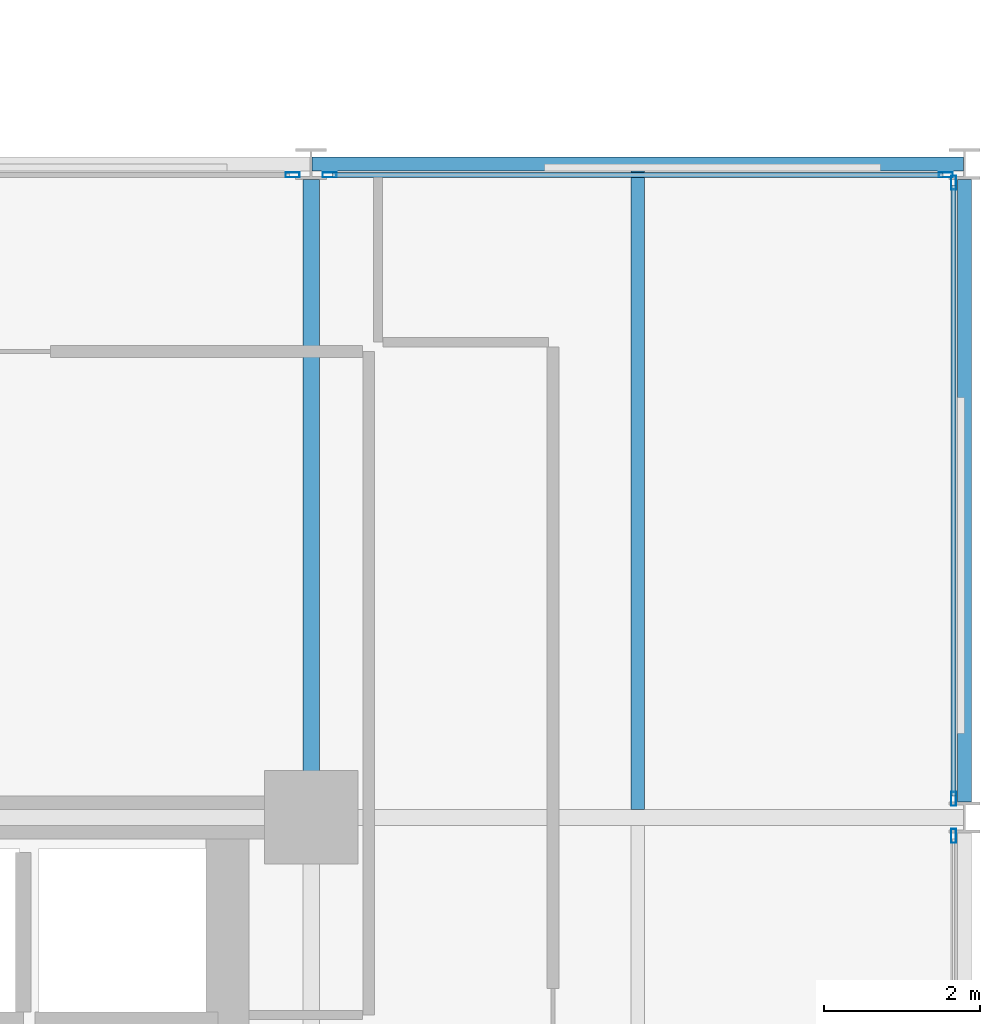
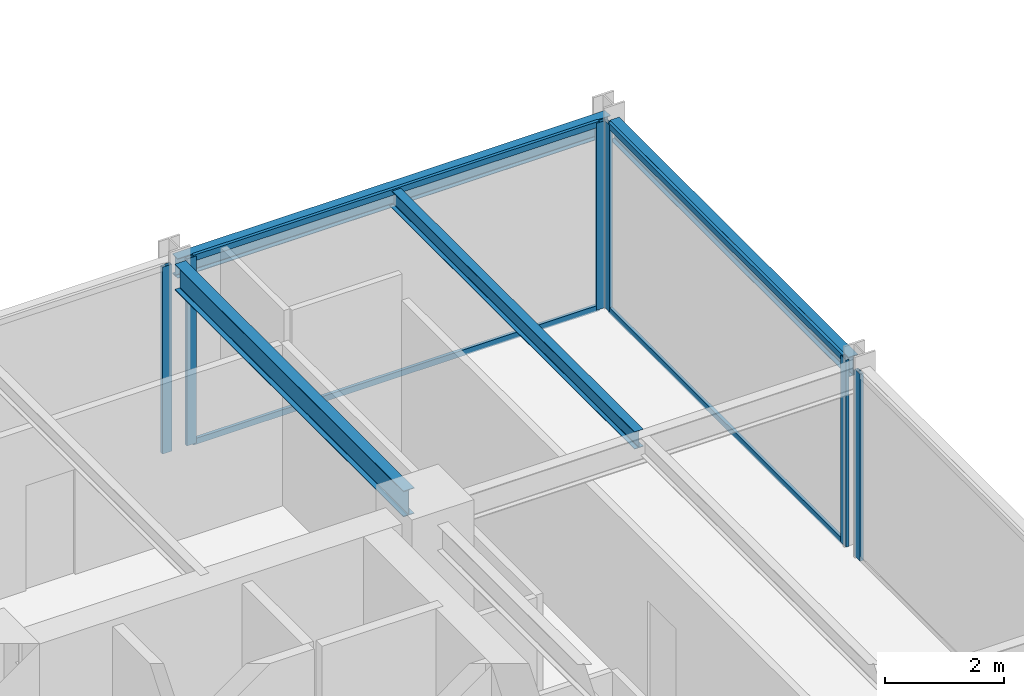
# One storey, part 15 of 29: 10 members, 4 beams, 4 elements without a shape of their own.
"""IFC4 building model written with IfcOpenShell, lengths in metres."""

from ifc_helpers import new_model, si_unit, direction, frame, origin, origin_2d, place, context, subcontext, project, spatial, hollow_rectangle, i_section, extrude, material, layer, layer_set, material_profile, profile_set, type_object, element, aggregate, save


model = new_model("IFC4")

# Units and contexts
model_context = context("Model", 3, precision=1e-05, world=origin(), true_north=direction((0.0, 1.0)))
body_context = subcontext(model_context, "Body", "Model", "MODEL_VIEW")
ifc_project = project(units=[si_unit("LENGTHUNIT", "METRE"), si_unit("AREAUNIT", "SQUARE_METRE"), si_unit("VOLUMEUNIT", "CUBIC_METRE"), si_unit("PLANEANGLEUNIT", "RADIAN"), si_unit("MASSUNIT", "GRAM", prefix="KILO")], contexts=[model_context])

# Site, building, storey
site_placement = place(None, origin())
site = spatial("IfcSite", under=ifc_project, at=site_placement, CompositionType="ELEMENT")
building_placement = place(site_placement, origin())
building = spatial("IfcBuilding", under=site, at=building_placement, Name="Nerrivon Quay Data Exchange", CompositionType="ELEMENT")
storey_placement = place(building_placement, frame((0.0, 0.0, 125.39990234375)))
storey = spatial("IfcBuildingStorey", under=building, at=storey_placement, Name="L29", CompositionType="ELEMENT", Elevation=125.39990234375)

# Beams
ifc_material_1 = material(Name="Steel Grade 350", Category="steel")
ifc_material_profile_1 = material_profile(ifc_material_1, i_section(OverallWidth=0.208984375, OverallDepth=0.528076171875, WebThickness=0.009521484375, FlangeThickness=0.01318359375, FilletRadius=0.013916015625, at=origin_2d()), Name="530UB82.0")
ifc_profile_set_1 = profile_set([ifc_material_profile_1], Name="Steel Grade 350")
beam_type_1 = type_object("IfcBeamType", Name="BM-G4-530UB82", PredefinedType="BEAM", material=ifc_profile_set_1)
beam_1_placement = place(storey_placement, frame((33.60009765625, 17.340087890625, 3.56103515625), z_axis=(0.0, 1.0, 0.0), x_axis=(-1.0, 0.0, 0.0)))
element("IfcBeam", 1, at=beam_1_placement, inside=storey, type_object=beam_type_1, Name="L29 NS Girder X=33.6 (16.8..25.2)", PredefinedType="BEAM", context=body_context, shape_type="SweptSolid", body=[
    extrude(i_section(OverallWidth=0.208984375, OverallDepth=0.528076171875, WebThickness=0.009521484375, FlangeThickness=0.01318359375, FilletRadius=0.013916015625, at=origin_2d()), origin(), (0.0, 0.0, 1.0), 7.659912109375),
])
ifc_material_profile_2 = material_profile(ifc_material_1, i_section(OverallWidth=0.1708984375, OverallDepth=0.35595703125, WebThickness=0.00732421875, FlangeThickness=0.011474609375, FilletRadius=0.011474609375, at=origin_2d()), Name="360UB50.7")
ifc_profile_set_2 = profile_set([ifc_material_profile_2], Name="Steel Grade 350")
beam_type_2 = type_object("IfcBeamType", Name="BM-J4-360UB51", PredefinedType="JOIST", material=ifc_profile_set_2)
beam_2_placement = place(storey_placement, frame((37.800048828125, 16.904541015625, 3.647216796875), z_axis=(0.0, 1.0, 0.0), x_axis=(-1.0, 0.0, 0.0)))
element("IfcBeam", 2, at=beam_2_placement, inside=storey, type_object=beam_type_2, Name="L29 Secondary Joist X=37.8 (16.8..25.2)", PredefinedType="JOIST", context=body_context, shape_type="SweptSolid", body=[
    extrude(i_section(OverallWidth=0.1708984375, OverallDepth=0.35595703125, WebThickness=0.00732421875, FlangeThickness=0.011474609375, FilletRadius=0.011474609375, at=origin_2d()), origin(), (0.0, 0.0, 1.0), 8.20654296875),
])
ifc_material_profile_3 = material_profile(ifc_material_1, i_section(OverallWidth=0.177978515625, OverallDepth=0.403076171875, WebThickness=0.007568359375, FlangeThickness=0.010986328125, FilletRadius=0.011474609375, at=origin_2d()), Name="410UB53.7")
ifc_profile_set_3 = profile_set([ifc_material_profile_3], Name="Steel Grade 350")
beam_type_3 = type_object("IfcBeamType", Name="BM-SP2-410UB54", PredefinedType="SPANDREL", material=ifc_profile_set_3)
beam_3_placement = place(storey_placement, frame((33.612548828125, 25.199951171875, 3.62353515625), z_axis=(1.0, 0.0, 0.0), x_axis=(0.0, 1.0, 0.0)))
element("IfcBeam", 3, at=beam_3_placement, inside=storey, type_object=beam_type_3, Name="L29 EW Girder Y=25.2 (33.6..42.0)", PredefinedType="SPANDREL", context=body_context, shape_type="SweptSolid", body=[
    extrude(i_section(OverallWidth=0.177978515625, OverallDepth=0.403076171875, WebThickness=0.007568359375, FlangeThickness=0.010986328125, FilletRadius=0.011474609375, at=origin_2d()), origin(), (0.0, 0.0, 1.0), 8.375),
])
beam_4_placement = place(storey_placement, frame((42.0, 17.0, 3.62353515625), z_axis=(0.0, 1.0, 0.0), x_axis=(-1.0, 0.0, 0.0)))
element("IfcBeam", 4, at=beam_4_placement, inside=storey, type_object=beam_type_3, Name="L29 NS Girder X=42.0 (16.8..25.2)", PredefinedType="SPANDREL", context=body_context, shape_type="SweptSolid", body=[
    extrude(i_section(OverallWidth=0.177978515625, OverallDepth=0.403076171875, WebThickness=0.007568359375, FlangeThickness=0.010986328125, FilletRadius=0.011474609375, at=origin_2d()), origin(), (0.0, 0.0, 1.0), 8.0),
])

# Curtain wall, member
ifc_material_2 = material(Name="Anodised aluminium 6063-T6", Category="aluminium")
ifc_layer = layer(ifc_material_2, 0.2099609375)
ifc_layer_set = layer_set([ifc_layer], Name="Anodised aluminium 6063-T6")
curtain_wall_type = type_object("IfcCurtainWallType", Name="CW-SYS-02", PredefinedType="NOTDEFINED", material=ifc_layer_set)
curtain_wall_1_placement = place(storey_placement, origin())
curtain_wall_1 = element("IfcCurtainWall", 5, at=curtain_wall_1_placement, inside=storey, type_object=curtain_wall_type, Name="L29 Unitised Curtain Wall 26", PredefinedType="NOTDEFINED")
ifc_material_profile_4 = material_profile(ifc_material_2, hollow_rectangle(XDim=0.06494140625, YDim=0.179931640625, WallThickness=0.00341796875, at=origin_2d()), Name="ALU-MULL-180x65")
ifc_profile_set_4 = profile_set([ifc_material_profile_4], Name="Anodised aluminium 6063-T6")
member_type_1 = type_object("IfcMemberType", Name="CWM-180x65", PredefinedType="MULLION", material=ifc_profile_set_4)
member_1_placement = place(storey_placement, frame((33.362548828125, 25.06005859375, 0.0), z_axis=(0.0, 0.0, 1.0), x_axis=(0.0, 1.0, 0.0)))
member_1 = element("IfcMember", 6, at=member_1_placement, type_object=member_type_1, Name="CW02 mullion 2", PredefinedType="MULLION", context=body_context, shape_type="SweptSolid", body=[
    extrude(hollow_rectangle(XDim=0.06494140625, YDim=0.179931640625, WallThickness=0.00341796875, at=origin_2d()), origin(), (0.0, 0.0, 1.0), 3.8251953125),
])
aggregate(curtain_wall_1, [member_1])

# Curtain wall, members
curtain_wall_2_placement = place(storey_placement, origin())
curtain_wall_2 = element("IfcCurtainWall", 7, at=curtain_wall_2_placement, inside=storey, type_object=curtain_wall_type, Name="L29 Unitised Curtain Wall 27", PredefinedType="NOTDEFINED")
member_2_placement = place(storey_placement, frame((33.83740234375, 25.06005859375, 0.0), z_axis=(0.0, 0.0, 1.0), x_axis=(0.0, 1.0, 0.0)))
member_2 = element("IfcMember", 8, at=member_2_placement, type_object=member_type_1, Name="CW02 mullion 1", PredefinedType="MULLION", context=body_context, shape_type="SweptSolid", body=[
    extrude(hollow_rectangle(XDim=0.06494140625, YDim=0.179931640625, WallThickness=0.00341796875, at=origin_2d()), origin(), (0.0, 0.0, 1.0), 3.8251953125),
])
member_3_placement = place(storey_placement, frame((41.762451171875, 25.06005859375, 0.0), z_axis=(0.0, 0.0, 1.0), x_axis=(0.0, 1.0, 0.0)))
member_3 = element("IfcMember", 9, at=member_3_placement, type_object=member_type_1, Name="CW02 mullion 2", PredefinedType="MULLION", context=body_context, shape_type="SweptSolid", body=[
    extrude(hollow_rectangle(XDim=0.06494140625, YDim=0.179931640625, WallThickness=0.00341796875, at=origin_2d()), origin(), (0.0, 0.0, 1.0), 3.8251953125),
])

curtain_wall_3_placement = place(storey_placement, origin())
curtain_wall_3 = element("IfcCurtainWall", 10, at=curtain_wall_3_placement, inside=storey, type_object=curtain_wall_type, Name="L29 Unitised Curtain Wall 28", PredefinedType="NOTDEFINED")
member_4_placement = place(storey_placement, frame((41.860107421875, 24.96240234375, 0.0), z_axis=(0.0, 0.0, 1.0), x_axis=(1.0, 0.0, 0.0)))
member_4 = element("IfcMember", 11, at=member_4_placement, type_object=member_type_1, Name="CW02 mullion 1", PredefinedType="MULLION", context=body_context, shape_type="SweptSolid", body=[
    extrude(hollow_rectangle(XDim=0.06494140625, YDim=0.179931640625, WallThickness=0.00341796875, at=origin_2d()), origin(), (0.0, 0.0, 1.0), 3.8251953125),
])
member_5_placement = place(storey_placement, frame((41.860107421875, 17.03759765625, 0.0), z_axis=(0.0, 0.0, 1.0), x_axis=(1.0, 0.0, 0.0)))
member_5 = element("IfcMember", 12, at=member_5_placement, type_object=member_type_1, Name="CW02 mullion 2", PredefinedType="MULLION", context=body_context, shape_type="SweptSolid", body=[
    extrude(hollow_rectangle(XDim=0.06494140625, YDim=0.179931640625, WallThickness=0.00341796875, at=origin_2d()), origin(), (0.0, 0.0, 1.0), 3.8251953125),
])

# Curtain wall, member
curtain_wall_4_placement = place(storey_placement, origin())
curtain_wall_4 = element("IfcCurtainWall", 13, at=curtain_wall_4_placement, inside=storey, type_object=curtain_wall_type, Name="L29 Unitised Curtain Wall 29", PredefinedType="NOTDEFINED")
member_6_placement = place(storey_placement, frame((41.860107421875, 16.5625, 0.0), z_axis=(0.0, 0.0, 1.0), x_axis=(1.0, 0.0, 0.0)))
member_6 = element("IfcMember", 14, at=member_6_placement, type_object=member_type_1, Name="CW02 mullion 1", PredefinedType="MULLION", context=body_context, shape_type="SweptSolid", body=[
    extrude(hollow_rectangle(XDim=0.06494140625, YDim=0.179931640625, WallThickness=0.00341796875, at=origin_2d()), origin(), (0.0, 0.0, 1.0), 3.8251953125),
])
aggregate(curtain_wall_4, [member_6])

# Member
ifc_material_profile_5 = material_profile(ifc_material_2, hollow_rectangle(XDim=0.06005859375, YDim=0.1201171875, WallThickness=0.003173828125, at=origin_2d()), Name="ALU-TRAN-120x60")
ifc_profile_set_5 = profile_set([ifc_material_profile_5], Name="Anodised aluminium 6063-T6")
member_type_2 = type_object("IfcMemberType", Name="CWT-120x60", PredefinedType="USERDEFINED", material=ifc_profile_set_5)
member_7_placement = place(storey_placement, frame((33.875, 25.06005859375, 0.03271484375), z_axis=(1.0, 0.0, 0.0), x_axis=(0.0, 1.0, 0.0)))
member_7 = element("IfcMember", 15, at=member_7_placement, type_object=member_type_2, Name="CW02 transom 1.1", ObjectType="TRANSOM", PredefinedType="USERDEFINED", context=body_context, shape_type="SweptSolid", body=[
    extrude(hollow_rectangle(XDim=0.06005859375, YDim=0.1201171875, WallThickness=0.003173828125, at=origin_2d()), origin(), (0.0, 0.0, 1.0), 7.85009765625),
])

member_8_placement = place(storey_placement, frame((33.875, 25.06005859375, 3.79248046875), z_axis=(1.0, 0.0, 0.0), x_axis=(0.0, 1.0, 0.0)))
member_8 = element("IfcMember", 16, at=member_8_placement, type_object=member_type_2, Name="CW02 transom 1.2", ObjectType="TRANSOM", PredefinedType="USERDEFINED", context=body_context, shape_type="SweptSolid", body=[
    extrude(hollow_rectangle(XDim=0.06005859375, YDim=0.1201171875, WallThickness=0.003173828125, at=origin_2d()), origin(), (0.0, 0.0, 1.0), 7.85009765625),
])

aggregate(curtain_wall_2, [member_2, member_3, member_7, member_8])

member_9_placement = place(storey_placement, frame((41.860107421875, 24.925048828125, 0.03271484375), z_axis=(0.0, -1.0, 0.0), x_axis=(1.0, 0.0, 0.0)))
member_9 = element("IfcMember", 17, at=member_9_placement, type_object=member_type_2, Name="CW02 transom 1.1", ObjectType="TRANSOM", PredefinedType="USERDEFINED", context=body_context, shape_type="SweptSolid", body=[
    extrude(hollow_rectangle(XDim=0.06005859375, YDim=0.1201171875, WallThickness=0.003173828125, at=origin_2d()), origin(), (0.0, 0.0, 1.0), 7.85009765625),
])

member_10_placement = place(storey_placement, frame((41.860107421875, 24.925048828125, 3.79248046875), z_axis=(0.0, -1.0, 0.0), x_axis=(1.0, 0.0, 0.0)))
member_10 = element("IfcMember", 18, at=member_10_placement, type_object=member_type_2, Name="CW02 transom 1.2", ObjectType="TRANSOM", PredefinedType="USERDEFINED", context=body_context, shape_type="SweptSolid", body=[
    extrude(hollow_rectangle(XDim=0.06005859375, YDim=0.1201171875, WallThickness=0.003173828125, at=origin_2d()), origin(), (0.0, 0.0, 1.0), 7.85009765625),
])

aggregate(curtain_wall_3, [member_4, member_5, member_9, member_10])

save(model, "model.ifc")
